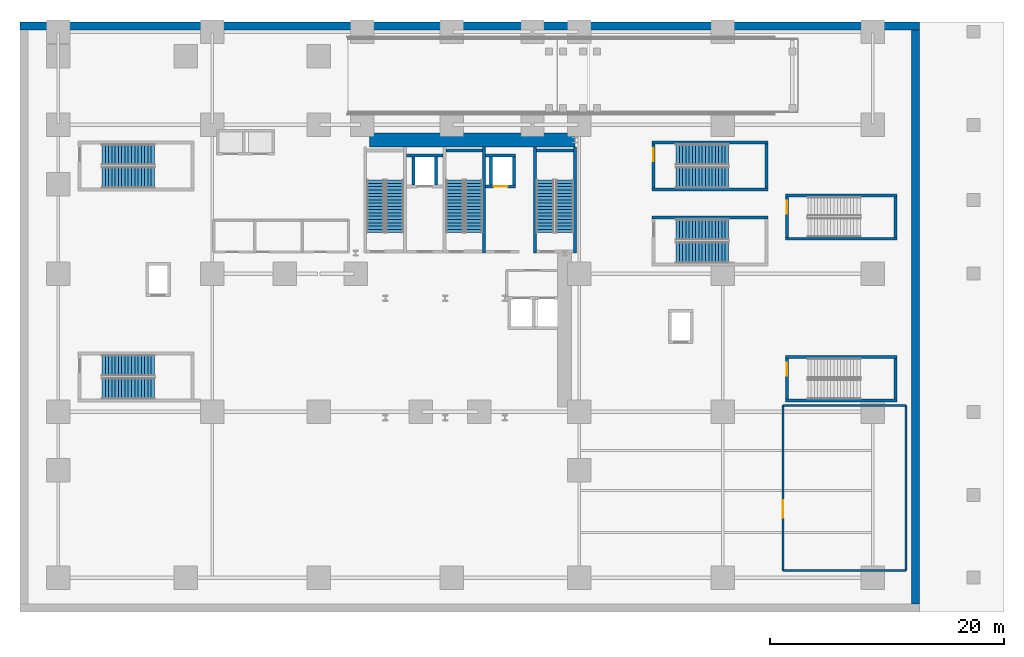
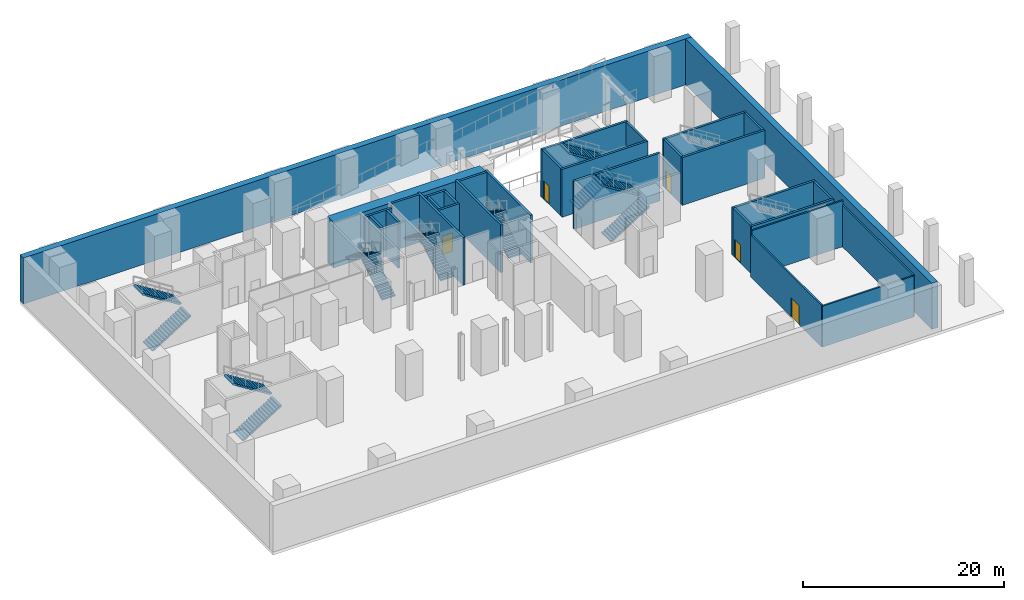
# One storey, part 6 of 16: 32 walls, 14 stair flights, 5 doors, 5 openings, 7 elements without a shape of their own.
"""IFC4 building model written with IfcOpenShell, lengths in metres."""

from ifc_helpers import new_model, si_unit, direction, frame, frame_2d, origin, place, context, subcontext, project, spatial, polyline, rectangle, outline, extrude, source, transform, mapped, material, layer, layer_set, type_object, element, fill, aggregate, save


model = new_model("IFC4")

# Units and contexts
model_context = context("Model", 3, precision=1e-05, world=origin(), true_north=direction((0.0, 1.0)))
body_context = subcontext(model_context, "Body", "Model", "MODEL_VIEW")
ifc_project = project(units=[si_unit("LENGTHUNIT", "METRE"), si_unit("AREAUNIT", "SQUARE_METRE"), si_unit("VOLUMEUNIT", "CUBIC_METRE"), si_unit("PLANEANGLEUNIT", "RADIAN"), si_unit("MASSUNIT", "GRAM", prefix="KILO")], contexts=[model_context])

# Site, building, storey
site_placement = place(None, origin())
site = spatial("IfcSite", under=ifc_project, at=site_placement, CompositionType="ELEMENT")
building_placement = place(site_placement, origin())
building = spatial("IfcBuilding", under=site, at=building_placement, Name="Vardaveli Station Tower", CompositionType="ELEMENT")
storey_placement = place(building_placement, frame((0.0, 0.0, -6.0)))
storey = spatial("IfcBuildingStorey", under=building, at=storey_placement, Name="B01", CompositionType="ELEMENT", Elevation=-6.0)

# Walls
ifc_material_1 = material(Name="Concrete C70/85", Category="concrete")
ifc_layer_1 = layer(ifc_material_1, 1.199951171875, Name="Concrete C70/85")
ifc_layer_set_1 = layer_set([ifc_layer_1], Name="Concrete C70/85")
wall_type_1 = type_object("IfcWallType", Name="WAL-CORE-1200", PredefinedType="SHEAR", material=ifc_layer_set_1)
shared_shape_1 = source(origin(), body_context, "Body", "SweptSolid", [
    extrude(rectangle(XDim=17.52001953125, YDim=1.199951171875, at=frame_2d((8.760009765625, 0.0))), origin(), (0.0, 0.0, 1.0), 5.60009765625),
])
wall_1_placement = place(storey_placement, frame((29.85009765625, 40.300048828125, 0.0), z_axis=(0.0, 0.0, 1.0), x_axis=(1.0, 0.0, 0.0)))
element("IfcWall", 1, at=wall_1_placement, inside=storey, type_object=wall_type_1, Name="SW-B01-NORTH", PredefinedType="SHEAR", context=body_context, shape_type="MappedRepresentation", body=[
    mapped(shared_shape_1, transform((0.0, 0.0, 0.0), scale=1.0)),
])
ifc_material_2 = material(Name="Concrete C40/50", Category="concrete")
ifc_layer_2 = layer(ifc_material_2, 0.699951171875, Name="Concrete C40/50")
ifc_layer_set_2 = layer_set([ifc_layer_2], Name="Concrete C40/50")
wall_type_2 = type_object("IfcWallType", Name="WAL-RET-700", PredefinedType="SOLIDWALL", material=ifc_layer_set_2)
shared_shape_2 = source(origin(), body_context, "Body", "SweptSolid", [
    extrude(rectangle(XDim=76.800048828125, YDim=0.699951171875, at=frame_2d((38.39990234375, 0.0))), origin(), (0.0, 0.0, 1.0), 5.60009765625),
])
wall_2_placement = place(storey_placement, frame((0.0, 50.050048828125, 0.0), z_axis=(0.0, 0.0, 1.0), x_axis=(1.0, 0.0, 0.0)))
element("IfcWall", 2, at=wall_2_placement, inside=storey, type_object=wall_type_2, Name="BW-B01-N", PredefinedType="SOLIDWALL", context=body_context, shape_type="MappedRepresentation", body=[
    mapped(shared_shape_2, transform((0.0, 0.0, 0.0), scale=1.0)),
])
shared_shape_3 = source(origin(), body_context, "Body", "SweptSolid", [
    extrude(rectangle(XDim=49.0, YDim=0.699951171875, at=frame_2d((24.5, 0.0))), origin(), (0.0, 0.0, 1.0), 5.60009765625),
])
wall_3_placement = place(storey_placement, frame((76.449951171875, 0.699951171875, 0.0), z_axis=(0.0, 0.0, 1.0), x_axis=(0.0, 1.0, 0.0)))
element("IfcWall", 3, at=wall_3_placement, inside=storey, type_object=wall_type_2, Name="BW-B01-E", PredefinedType="SOLIDWALL", context=body_context, shape_type="MappedRepresentation", body=[
    mapped(shared_shape_3, transform((0.0, 0.0, 0.0), scale=1.0)),
])
ifc_layer_3 = layer(ifc_material_2, 0.25, Name="Concrete C40/50")
ifc_layer_set_3 = layer_set([ifc_layer_3], Name="Concrete C40/50")
wall_type_3 = type_object("IfcWallType", Name="WAL-SHAFT-250", PredefinedType="SOLIDWALL", material=ifc_layer_set_3)
shared_shape_4 = source(origin(), body_context, "Body", "SweptSolid", [
    extrude(rectangle(XDim=9.050048828125, YDim=0.25, at=frame_2d((4.52490234375, 0.0))), origin(), (0.0, 0.0, 1.0), 5.800048828125),
])
for number, where, z_axis, x_axis, name in (
    (4, (39.625, 30.64990234375, 0.0), (0.0, 0.0, 1.0), (0.0, 1.0, 0.0), "W-B01-ST-2E"),
    (5, (43.97509765625, 30.64990234375, 0.0), (0.0, 0.0, 1.0), (0.0, 1.0, 0.0), "W-B01-ST-3W"),
    (6, (47.375, 30.64990234375, 0.0), (0.0, 0.0, 1.0), (0.0, 1.0, 0.0), "W-B01-ST-3E"),
):
    element("IfcWall", number, at=place(storey_placement, frame(where, z_axis=z_axis, x_axis=x_axis)), inside=storey, type_object=wall_type_3, Name=name, PredefinedType="SOLIDWALL", context=body_context, shape_type="MappedRepresentation", body=[
        mapped(shared_shape_4, transform((0.0, 0.0, 0.0), scale=1.0)),
    ])
shared_shape_5 = source(origin(), body_context, "Body", "SweptSolid", [
    extrude(rectangle(XDim=3.14990234375, YDim=0.25, at=frame_2d((1.574951171875, 0.0))), origin(), (0.0, 0.0, 1.0), 5.800048828125),
])
for number, where, z_axis, x_axis, name in (
    (7, (36.35009765625, 39.425048828125, 0.0), (0.0, 0.0, 1.0), (1.0, 0.0, 0.0), "W-B01-ST-2N"),
    (8, (44.10009765625, 39.425048828125, 0.0), (0.0, 0.0, 1.0), (1.0, 0.0, 0.0), "W-B01-ST-3N"),
):
    element("IfcWall", number, at=place(storey_placement, frame(where, z_axis=z_axis, x_axis=x_axis)), inside=storey, type_object=wall_type_3, Name=name, PredefinedType="SOLIDWALL", context=body_context, shape_type="MappedRepresentation", body=[
        mapped(shared_shape_5, transform((0.0, 0.0, 0.0), scale=1.0)),
    ])
shared_shape_6 = source(origin(), body_context, "Body", "SweptSolid", [
    extrude(rectangle(XDim=9.900146484375, YDim=0.25, at=frame_2d((4.9501953125, 0.0))), origin(), (0.0, 0.0, 1.0), 5.800048828125),
])
for number, where, z_axis, x_axis, name in (
    (9, (53.949951171875, 33.675048828125, 0.0), (0.0, 0.0, 1.0), (1.0, 0.0, 0.0), "W-B01-ST-S2N"),
    (10, (53.949951171875, 36.074951171875, 0.0), (0.0, 0.0, 1.0), (1.0, 0.0, 0.0), "W-B01-ST-P2S"),
    (11, (53.949951171875, 40.074951171875, 0.0), (0.0, 0.0, 1.0), (1.0, 0.0, 0.0), "W-B01-ST-P2N"),
):
    element("IfcWall", number, at=place(storey_placement, frame(where, z_axis=z_axis, x_axis=x_axis)), inside=storey, type_object=wall_type_3, Name=name, PredefinedType="SOLIDWALL", context=body_context, shape_type="MappedRepresentation", body=[
        mapped(shared_shape_6, transform((0.0, 0.0, 0.0), scale=1.0)),
    ])
shared_shape_7 = source(origin(), body_context, "Body", "SweptSolid", [
    extrude(rectangle(XDim=3.75, YDim=0.25, at=frame_2d((1.875, 0.0))), origin(), (0.0, 0.0, 1.0), 5.800048828125),
])
wall_4_placement = place(storey_placement, frame((63.72509765625, 36.199951171875, 0.0), z_axis=(0.0, 0.0, 1.0), x_axis=(0.0, 1.0, 0.0)))
element("IfcWall", 12, at=wall_4_placement, inside=storey, type_object=wall_type_3, Name="W-B01-ST-P2E", PredefinedType="SOLIDWALL", context=body_context, shape_type="MappedRepresentation", body=[
    mapped(shared_shape_7, transform((0.0, 0.0, 0.0), scale=1.0)),
])

# Wall, opening, door
wall_5_placement = place(storey_placement, frame((54.074951171875, 36.199951171875, 0.0), z_axis=(0.0, 0.0, 1.0), x_axis=(0.0, 1.0, 0.0)))
wall_5 = element("IfcWall", 13, at=wall_5_placement, inside=storey, type_object=wall_type_3, Name="W-B01-ST-P2W", PredefinedType="SOLIDWALL", context=body_context, shape_type="MappedRepresentation", body=[
    mapped(shared_shape_7, transform((0.0, 0.0, 0.0), scale=1.0)),
])
shared_shape_8 = source(origin(), body_context, "Body", "SweptSolid", [
    extrude(rectangle(XDim=1.10009765625, YDim=2.199951171875, at=frame_2d((0.550048828125, 1.10009765625))), frame((0.0, 0.135009765625, 0.0), z_axis=(0.0, -1.0, 0.0), x_axis=(1.0, 0.0, 0.0)), (0.0, 0.0, 1.0), 0.27001953125),
])
opening_1_placement = place(wall_5_placement, frame((2.300048828125, 0.0, 0.0)))
opening_1 = element("IfcOpeningElement", 14, at=opening_1_placement, cuts=wall_5, Name="Opening D-04", PredefinedType="OPENING", context=body_context, shape_type="MappedRepresentation", body=[
    mapped(shared_shape_8, transform((0.0, 0.0, 0.0), scale=1.0)),
])
ifc_material_3 = material(Name="Steel smokeproof fire doorset", Category="steel")
door_type_1 = type_object("IfcDoorType", Name="DR-ST-1100x2200", OperationType="NOTDEFINED", PredefinedType="DOOR", material=ifc_material_3)
shared_shape_9 = source(origin(), body_context, "Body", "SweptSolid", [
    extrude(rectangle(XDim=1.10009765625, YDim=2.199951171875, at=frame_2d((0.550048828125, 1.10009765625))), frame((0.0, 0.02490234375, 0.0), z_axis=(0.0, -1.0, 0.0), x_axis=(1.0, 0.0, 0.0)), (0.0, 0.0, 1.0), 0.050048828125),
])
door_1_placement = place(opening_1_placement, origin())
door_1 = element("IfcDoor", 15, at=door_1_placement, inside=storey, type_object=door_type_1, Name="DST-P2-B01", OperationType="SINGLE_SWING_RIGHT", OverallHeight=2.199951171875, OverallWidth=1.10009765625, PredefinedType="DOOR", context=body_context, shape_type="MappedRepresentation", body=[
    mapped(shared_shape_9, transform((0.0, 0.0, 0.0), scale=1.0)),
])
fill(opening_1, door_1)

# Walls
shared_shape_10 = source(origin(), body_context, "Body", "SweptSolid", [
    extrude(rectangle(XDim=9.5, YDim=0.25, at=frame_2d((4.75, 0.0))), origin(), (0.0, 0.0, 1.0), 5.800048828125),
])
for number, where, z_axis, x_axis, name in (
    (16, (65.35009765625, 18.074951171875, 0.0), (0.0, 0.0, 1.0), (1.0, 0.0, 0.0), "W-B01-ST-C1S"),
    (17, (65.35009765625, 21.77490234375, 0.0), (0.0, 0.0, 1.0), (1.0, 0.0, 0.0), "W-B01-ST-C1N"),
    (18, (65.35009765625, 31.875, 0.0), (0.0, 0.0, 1.0), (1.0, 0.0, 0.0), "W-B01-ST-C2S"),
    (19, (65.35009765625, 35.574951171875, 0.0), (0.0, 0.0, 1.0), (1.0, 0.0, 0.0), "W-B01-ST-C2N"),
):
    element("IfcWall", number, at=place(storey_placement, frame(where, z_axis=z_axis, x_axis=x_axis)), inside=storey, type_object=wall_type_3, Name=name, PredefinedType="SOLIDWALL", context=body_context, shape_type="MappedRepresentation", body=[
        mapped(shared_shape_10, transform((0.0, 0.0, 0.0), scale=1.0)),
    ])
shared_shape_11 = source(origin(), body_context, "Body", "SweptSolid", [
    extrude(rectangle(XDim=3.449951171875, YDim=0.25, at=frame_2d((1.72509765625, 0.0))), origin(), (0.0, 0.0, 1.0), 5.800048828125),
])
wall_6_placement = place(storey_placement, frame((74.72509765625, 18.199951171875, 0.0), z_axis=(0.0, 0.0, 1.0), x_axis=(0.0, 1.0, 0.0)))
element("IfcWall", 20, at=wall_6_placement, inside=storey, type_object=wall_type_3, Name="W-B01-ST-C1E", PredefinedType="SOLIDWALL", context=body_context, shape_type="MappedRepresentation", body=[
    mapped(shared_shape_11, transform((0.0, 0.0, 0.0), scale=1.0)),
])

# Wall, opening, door
wall_7_placement = place(storey_placement, frame((65.47509765625, 18.199951171875, 0.0), z_axis=(0.0, 0.0, 1.0), x_axis=(0.0, 1.0, 0.0)))
wall_7 = element("IfcWall", 21, at=wall_7_placement, inside=storey, type_object=wall_type_3, Name="W-B01-ST-C1W", PredefinedType="SOLIDWALL", context=body_context, shape_type="MappedRepresentation", body=[
    mapped(shared_shape_11, transform((0.0, 0.0, 0.0), scale=1.0)),
])
opening_2_placement = place(wall_7_placement, frame((2.0, 0.0, 0.0)))
opening_2 = element("IfcOpeningElement", 22, at=opening_2_placement, cuts=wall_7, Name="Opening D-04", PredefinedType="OPENING", context=body_context, shape_type="MappedRepresentation", body=[
    mapped(shared_shape_8, transform((0.0, 0.0, 0.0), scale=1.0)),
])
door_2_placement = place(opening_2_placement, origin())
door_2 = element("IfcDoor", 23, at=door_2_placement, inside=storey, type_object=door_type_1, Name="DST-C1-B01", OperationType="SINGLE_SWING_RIGHT", OverallHeight=2.199951171875, OverallWidth=1.10009765625, PredefinedType="DOOR", context=body_context, shape_type="MappedRepresentation", body=[
    mapped(shared_shape_9, transform((0.0, 0.0, 0.0), scale=1.0)),
])
fill(opening_2, door_2)

# Wall
wall_8_placement = place(storey_placement, frame((74.72509765625, 32.0, 0.0), z_axis=(0.0, 0.0, 1.0), x_axis=(0.0, 1.0, 0.0)))
element("IfcWall", 24, at=wall_8_placement, inside=storey, type_object=wall_type_3, Name="W-B01-ST-C2E", PredefinedType="SOLIDWALL", context=body_context, shape_type="MappedRepresentation", body=[
    mapped(shared_shape_11, transform((0.0, 0.0, 0.0), scale=1.0)),
])

# Wall, opening, door
wall_9_placement = place(storey_placement, frame((65.47509765625, 32.0, 0.0), z_axis=(0.0, 0.0, 1.0), x_axis=(0.0, 1.0, 0.0)))
wall_9 = element("IfcWall", 25, at=wall_9_placement, inside=storey, type_object=wall_type_3, Name="W-B01-ST-C2W", PredefinedType="SOLIDWALL", context=body_context, shape_type="MappedRepresentation", body=[
    mapped(shared_shape_11, transform((0.0, 0.0, 0.0), scale=1.0)),
])
opening_3_placement = place(wall_9_placement, frame((2.0, 0.0, 0.0)))
opening_3 = element("IfcOpeningElement", 26, at=opening_3_placement, cuts=wall_9, Name="Opening D-04", PredefinedType="OPENING", context=body_context, shape_type="MappedRepresentation", body=[
    mapped(shared_shape_8, transform((0.0, 0.0, 0.0), scale=1.0)),
])
door_3_placement = place(opening_3_placement, origin())
door_3 = element("IfcDoor", 27, at=door_3_placement, inside=storey, type_object=door_type_1, Name="DST-C2-B01", OperationType="SINGLE_SWING_RIGHT", OverallHeight=2.199951171875, OverallWidth=1.10009765625, PredefinedType="DOOR", context=body_context, shape_type="MappedRepresentation", body=[
    mapped(shared_shape_9, transform((0.0, 0.0, 0.0), scale=1.0)),
])
fill(opening_3, door_3)

# Walls
shared_shape_12 = source(origin(), body_context, "Body", "SweptSolid", [
    extrude(rectangle(XDim=2.400146484375, YDim=0.25, at=frame_2d((1.2001953125, 0.0))), origin(), (0.0, 0.0, 1.0), 5.60009765625),
])
for number, where, z_axis, x_axis, name in (
    (28, (33.574951171875, 36.449951171875, 0.0), (0.0, 0.0, 1.0), (0.0, 1.0, 0.0), "SHW-FFL-01-B01-W"),
    (29, (35.52490234375, 36.449951171875, 0.0), (0.0, 0.0, 1.0), (0.0, 1.0, 0.0), "SHW-FFL-01-B01-E"),
    (30, (40.22509765625, 36.449951171875, 0.0), (0.0, 0.0, 1.0), (0.0, 1.0, 0.0), "SHW-FFL-02-B01-W"),
    (31, (42.175048828125, 36.449951171875, 0.0), (0.0, 0.0, 1.0), (0.0, 1.0, 0.0), "SHW-FFL-02-B01-E"),
):
    element("IfcWall", number, at=place(storey_placement, frame(where, z_axis=z_axis, x_axis=x_axis)), inside=storey, type_object=wall_type_3, Name=name, PredefinedType="SOLIDWALL", context=body_context, shape_type="MappedRepresentation", body=[
        mapped(shared_shape_12, transform((0.0, 0.0, 0.0), scale=1.0)),
    ])
shared_shape_13 = source(origin(), body_context, "Body", "SweptSolid", [
    extrude(rectangle(XDim=3.10009765625, YDim=0.25, at=frame_2d((1.550048828125, 0.0))), origin(), (0.0, 0.0, 1.0), 5.60009765625),
])
wall_10_placement = place(storey_placement, frame((33.0, 38.97509765625, 0.0), z_axis=(0.0, 0.0, 1.0), x_axis=(1.0, 0.0, 0.0)))
element("IfcWall", 32, at=wall_10_placement, inside=storey, type_object=wall_type_3, Name="SHW-FFL-01-B01-N", PredefinedType="SOLIDWALL", context=body_context, shape_type="MappedRepresentation", body=[
    mapped(shared_shape_13, transform((0.0, 0.0, 0.0), scale=1.0)),
])

# Wall, opening, door
shared_shape_14 = source(origin(), body_context, "Body", "SweptSolid", [
    extrude(rectangle(XDim=2.550048828125, YDim=0.25, at=frame_2d((1.27490234375, 0.0))), origin(), (0.0, 0.0, 1.0), 5.60009765625),
])
wall_11_placement = place(storey_placement, frame((39.75, 36.324951171875, 0.0), z_axis=(0.0, 0.0, 1.0), x_axis=(1.0, 0.0, 0.0)))
wall_11 = element("IfcWall", 33, at=wall_11_placement, inside=storey, type_object=wall_type_3, Name="SHW-FFL-02-B01-S", PredefinedType="SOLIDWALL", context=body_context, shape_type="MappedRepresentation", body=[
    mapped(shared_shape_14, transform((0.0, 0.0, 0.0), scale=1.0)),
])
shared_shape_15 = source(origin(), body_context, "Body", "SweptSolid", [
    extrude(rectangle(XDim=1.199951171875, YDim=2.25, at=frame_2d((0.60009765625, 1.125))), frame((0.0, 0.135009765625, 0.0), z_axis=(0.0, -1.0, 0.0), x_axis=(1.0, 0.0, 0.0)), (0.0, 0.0, 1.0), 0.27001953125),
])
opening_4_placement = place(wall_11_placement, frame((0.675048828125, 0.0, 0.0)))
opening_4 = element("IfcOpeningElement", 34, at=opening_4_placement, cuts=wall_11, Name="Opening LD-02", PredefinedType="OPENING", context=body_context, shape_type="MappedRepresentation", body=[
    mapped(shared_shape_15, transform((0.0, 0.0, 0.0), scale=1.0)),
])
ifc_material_4 = material(Name="Brushed stainless steel", Category="steel")
door_type_2 = type_object("IfcDoorType", Name="DR-LD-1200x2250", OperationType="DOUBLE_DOOR_SLIDING", PredefinedType="DOOR", material=ifc_material_4)
shared_shape_16 = source(origin(), body_context, "Body", "SweptSolid", [
    extrude(rectangle(XDim=1.199951171875, YDim=2.25, at=frame_2d((0.60009765625, 1.125))), frame((0.0, 0.02490234375, 0.0), z_axis=(0.0, -1.0, 0.0), x_axis=(1.0, 0.0, 0.0)), (0.0, 0.0, 1.0), 0.050048828125),
])
door_4_placement = place(opening_4_placement, origin())
door_4 = element("IfcDoor", 35, at=door_4_placement, inside=storey, type_object=door_type_2, Name="LD-FFL-02-B01", OperationType="DOUBLE_DOOR_SLIDING", OverallHeight=2.25, OverallWidth=1.199951171875, PredefinedType="DOOR", context=body_context, shape_type="MappedRepresentation", body=[
    mapped(shared_shape_16, transform((0.0, 0.0, 0.0), scale=1.0)),
])
fill(opening_4, door_4)

# Wall
wall_12_placement = place(storey_placement, frame((39.75, 38.97509765625, 0.0), z_axis=(0.0, 0.0, 1.0), x_axis=(1.0, 0.0, 0.0)))
element("IfcWall", 36, at=wall_12_placement, inside=storey, type_object=wall_type_3, Name="SHW-FFL-02-B01-N", PredefinedType="SOLIDWALL", context=body_context, shape_type="MappedRepresentation", body=[
    mapped(shared_shape_14, transform((0.0, 0.0, 0.0), scale=1.0)),
])

# Wall, opening, door
ifc_material_5 = material(Name="Fire-rated gypsum stud partition")
ifc_layer_4 = layer(ifc_material_5, 0.179931640625, Name="Fire-rated gypsum stud partition")
ifc_layer_set_4 = layer_set([ifc_layer_4], Name="Fire-rated gypsum stud partition")
wall_type_4 = type_object("IfcWallType", Name="WAL-CORR-180", PredefinedType="PARTITIONING", material=ifc_layer_set_4)
shared_shape_17 = source(origin(), body_context, "Body", "SweptSolid", [
    extrude(rectangle(XDim=14.099853515625, YDim=0.179931640625, at=frame_2d((7.0498046875, 0.0))), origin(), (0.0, 0.0, 1.0), 5.068115234375),
])
wall_13_placement = place(storey_placement, frame((65.14990234375, 3.550048828125, 0.0), z_axis=(0.0, 0.0, 1.0), x_axis=(0.0, 1.0, 0.0)))
wall_13 = element("IfcWall", 37, at=wall_13_placement, inside=storey, type_object=wall_type_4, Name="W-B01-SUB-W", PredefinedType="PARTITIONING", context=body_context, shape_type="MappedRepresentation", body=[
    mapped(shared_shape_17, transform((0.0, 0.0, 0.0), scale=1.0)),
])
shared_shape_18 = source(origin(), body_context, "Body", "SweptSolid", [
    extrude(rectangle(XDim=1.5, YDim=2.300048828125, at=frame_2d((0.75, 1.14990234375))), frame((0.0, 0.10009765625, 0.0), z_axis=(0.0, -1.0, 0.0), x_axis=(1.0, 0.0, 0.0)), (0.0, 0.0, 1.0), 0.199951171875),
])
opening_5_placement = place(wall_13_placement, frame((4.5, 0.0, 0.0)))
opening_5 = element("IfcOpeningElement", 38, at=opening_5_placement, cuts=wall_13, Name="Opening D-02", PredefinedType="OPENING", context=body_context, shape_type="MappedRepresentation", body=[
    mapped(shared_shape_18, transform((0.0, 0.0, 0.0), scale=1.0)),
])
ifc_material_6 = material(Name="Galvanised steel acoustic doorset", Category="steel")
door_type_3 = type_object("IfcDoorType", Name="DR-PLANT-1500x2300", OperationType="DOUBLE_DOOR_SINGLE_SWING", PredefinedType="DOOR", material=ifc_material_6)
shared_shape_19 = source(origin(), body_context, "Body", "SweptSolid", [
    extrude(rectangle(XDim=1.5, YDim=2.300048828125, at=frame_2d((0.75, 1.14990234375))), frame((0.0, 0.02490234375, 0.0), z_axis=(0.0, -1.0, 0.0), x_axis=(1.0, 0.0, 0.0)), (0.0, 0.0, 1.0), 0.050048828125),
])
door_5_placement = place(opening_5_placement, origin())
door_5 = element("IfcDoor", 39, at=door_5_placement, inside=storey, type_object=door_type_3, Name="D-B01-SUB", OperationType="DOUBLE_DOOR_SINGLE_SWING", OverallHeight=2.300048828125, OverallWidth=1.5, PredefinedType="DOOR", context=body_context, shape_type="MappedRepresentation", body=[
    mapped(shared_shape_19, transform((0.0, 0.0, 0.0), scale=1.0)),
])
fill(opening_5, door_5)

# Walls
wall_14_placement = place(storey_placement, frame((75.64990234375, 3.550048828125, 0.0), z_axis=(0.0, 0.0, 1.0), x_axis=(0.0, 1.0, 0.0)))
element("IfcWall", 40, at=wall_14_placement, inside=storey, type_object=wall_type_4, Name="W-B01-SUB-E", PredefinedType="PARTITIONING", context=body_context, shape_type="MappedRepresentation", body=[
    mapped(shared_shape_17, transform((0.0, 0.0, 0.0), scale=1.0)),
])
shared_shape_20 = source(origin(), body_context, "Body", "SweptSolid", [
    extrude(rectangle(XDim=10.5, YDim=0.179931640625, at=frame_2d((5.25, 0.0))), origin(), (0.0, 0.0, 1.0), 4.991943359375),
])
wall_15_placement = place(storey_placement, frame((65.14990234375, 3.550048828125, 0.0), z_axis=(0.0, 0.0, 1.0), x_axis=(1.0, 0.0, 0.0)))
element("IfcWall", 41, at=wall_15_placement, inside=storey, type_object=wall_type_4, Name="W-B01-SUB-S", PredefinedType="PARTITIONING", context=body_context, shape_type="MappedRepresentation", body=[
    mapped(shared_shape_20, transform((0.0, 0.0, 0.0), scale=1.0)),
])
shared_shape_21 = source(origin(), body_context, "Body", "SweptSolid", [
    extrude(rectangle(XDim=10.5, YDim=0.179931640625, at=frame_2d((5.25, 0.0))), origin(), (0.0, 0.0, 1.0), 5.60009765625),
])
wall_16_placement = place(storey_placement, frame((65.14990234375, 17.64990234375, 0.0), z_axis=(0.0, 0.0, 1.0), x_axis=(1.0, 0.0, 0.0)))
element("IfcWall", 42, at=wall_16_placement, inside=storey, type_object=wall_type_4, Name="W-B01-SUB-N", PredefinedType="PARTITIONING", context=body_context, shape_type="MappedRepresentation", body=[
    mapped(shared_shape_21, transform((0.0, 0.0, 0.0), scale=1.0)),
])

# Stair, stair flights
stair_type_1 = type_object("IfcStairType", Name="STR-CORE-1500", PredefinedType="HALF_TURN_STAIR", material=ifc_material_2)
stair_1_placement = place(storey_placement, origin())
stair_1 = element("IfcStair", 43, at=stair_1_placement, inside=storey, type_object=stair_type_1, Name="B01 ST-1", PredefinedType="HALF_TURN_STAIR")
stair_flight_type_1 = type_object("IfcStairFlightType", Name="SFL-CORE-1500", PredefinedType="STRAIGHT", material=ifc_material_2)
shared_shape_22 = source(origin(), body_context, "Body", "SweptSolid", [
    extrude(outline(polyline([(0.0, 0.0), (0.0, 0.176513671875), (0.280029296875, 0.176513671875), (0.280029296875, 0.35302734375), (0.56005859375, 0.35302734375), (0.56005859375, 0.529296875), (0.840087890625, 0.529296875), (0.840087890625, 0.705810546875), (1.1201171875, 0.705810546875), (1.1201171875, 0.88232421875), (1.39990234375, 0.88232421875), (1.39990234375, 1.058837890625), (1.679931640625, 1.058837890625), (1.679931640625, 1.2353515625), (1.9599609375, 1.2353515625), (1.9599609375, 1.411865234375), (2.239990234375, 1.411865234375), (2.239990234375, 1.588134765625), (2.52001953125, 1.588134765625), (2.52001953125, 1.7646484375), (2.800048828125, 1.7646484375), (2.800048828125, 1.941162109375), (3.080078125, 1.941162109375), (3.080078125, 2.11767578125), (3.360107421875, 2.11767578125), (3.360107421875, 2.294189453125), (3.639892578125, 2.294189453125), (3.639892578125, 2.470703125), (3.919921875, 2.470703125), (3.919921875, 2.64697265625), (4.199951171875, 2.64697265625), (4.199951171875, 2.823486328125), (4.47998046875, 2.823486328125), (4.47998046875, 3.0), (4.47998046875, 2.646240234375), (0.28125, 0.0), (0.0, 0.0)])), frame((0.0, 0.75, 0.0), z_axis=(0.0, -1.0, 0.0), x_axis=(1.0, 0.0, 0.0)), (0.0, 0.0, 1.0), 1.5),
])
stair_flight_1_placement = place(storey_placement, frame((32.0, 32.39990234375, 0.0), z_axis=(0.0, 0.0, 1.0), x_axis=(0.0, 1.0, 0.0)))
stair_flight_1 = element("IfcStairFlight", 44, at=stair_flight_1_placement, type_object=stair_flight_type_1, Name="ST-1 flight 1", NumberOfRisers=17, NumberOfTreads=16, PredefinedType="STRAIGHT", RiserHeight=0.176470588, TreadLength=0.28, context=body_context, shape_type="MappedRepresentation", body=[
    mapped(shared_shape_22, transform((0.0, 0.0, 0.0), scale=1.0)),
])
stair_flight_2_placement = place(storey_placement, frame((30.35009765625, 36.8798828125, 3.0), z_axis=(0.0, 0.0, 1.0), x_axis=(0.0, -1.0, 0.0)))
stair_flight_2 = element("IfcStairFlight", 45, at=stair_flight_2_placement, type_object=stair_flight_type_1, Name="ST-1 flight 2", NumberOfRisers=17, NumberOfTreads=16, PredefinedType="STRAIGHT", RiserHeight=0.176470588, TreadLength=0.28, context=body_context, shape_type="MappedRepresentation", body=[
    mapped(shared_shape_22, transform((0.0, 0.0, 0.0), scale=1.0)),
])
aggregate(stair_1, [stair_flight_1, stair_flight_2])

stair_2_placement = place(storey_placement, origin())
stair_2 = element("IfcStair", 46, at=stair_2_placement, inside=storey, type_object=stair_type_1, Name="B01 ST-2", PredefinedType="HALF_TURN_STAIR")
stair_flight_3_placement = place(storey_placement, frame((38.75, 32.39990234375, 0.0), z_axis=(0.0, 0.0, 1.0), x_axis=(0.0, 1.0, 0.0)))
stair_flight_3 = element("IfcStairFlight", 47, at=stair_flight_3_placement, type_object=stair_flight_type_1, Name="ST-2 flight 1", NumberOfRisers=17, NumberOfTreads=16, PredefinedType="STRAIGHT", RiserHeight=0.176470588, TreadLength=0.28, context=body_context, shape_type="MappedRepresentation", body=[
    mapped(shared_shape_22, transform((0.0, 0.0, 0.0), scale=1.0)),
])
stair_flight_4_placement = place(storey_placement, frame((37.10009765625, 36.8798828125, 3.0), z_axis=(0.0, 0.0, 1.0), x_axis=(0.0, -1.0, 0.0)))
stair_flight_4 = element("IfcStairFlight", 48, at=stair_flight_4_placement, type_object=stair_flight_type_1, Name="ST-2 flight 2", NumberOfRisers=17, NumberOfTreads=16, PredefinedType="STRAIGHT", RiserHeight=0.176470588, TreadLength=0.28, context=body_context, shape_type="MappedRepresentation", body=[
    mapped(shared_shape_22, transform((0.0, 0.0, 0.0), scale=1.0)),
])
aggregate(stair_2, [stair_flight_3, stair_flight_4])

stair_3_placement = place(storey_placement, origin())
stair_3 = element("IfcStair", 49, at=stair_3_placement, inside=storey, type_object=stair_type_1, Name="B01 ST-3", PredefinedType="HALF_TURN_STAIR")
stair_flight_5_placement = place(storey_placement, frame((46.5, 32.39990234375, 0.0), z_axis=(0.0, 0.0, 1.0), x_axis=(0.0, 1.0, 0.0)))
stair_flight_5 = element("IfcStairFlight", 50, at=stair_flight_5_placement, type_object=stair_flight_type_1, Name="ST-3 flight 1", NumberOfRisers=17, NumberOfTreads=16, PredefinedType="STRAIGHT", RiserHeight=0.176470588, TreadLength=0.28, context=body_context, shape_type="MappedRepresentation", body=[
    mapped(shared_shape_22, transform((0.0, 0.0, 0.0), scale=1.0)),
])
stair_flight_6_placement = place(storey_placement, frame((44.85009765625, 36.8798828125, 3.0), z_axis=(0.0, 0.0, 1.0), x_axis=(0.0, -1.0, 0.0)))
stair_flight_6 = element("IfcStairFlight", 51, at=stair_flight_6_placement, type_object=stair_flight_type_1, Name="ST-3 flight 2", NumberOfRisers=17, NumberOfTreads=16, PredefinedType="STRAIGHT", RiserHeight=0.176470588, TreadLength=0.28, context=body_context, shape_type="MappedRepresentation", body=[
    mapped(shared_shape_22, transform((0.0, 0.0, 0.0), scale=1.0)),
])
aggregate(stair_3, [stair_flight_5, stair_flight_6])

stair_type_2 = type_object("IfcStairType", Name="STR-POD-1800", PredefinedType="HALF_TURN_STAIR", material=ifc_material_2)
stair_4_placement = place(storey_placement, origin())
stair_4 = element("IfcStair", 52, at=stair_4_placement, inside=storey, type_object=stair_type_2, Name="B01 ST-S1", PredefinedType="HALF_TURN_STAIR")
stair_flight_type_2 = type_object("IfcStairFlightType", Name="SFL-POD-1800", PredefinedType="STRAIGHT", material=ifc_material_2)
shared_shape_23 = source(origin(), body_context, "Body", "SweptSolid", [
    extrude(outline(polyline([(0.0, 0.0), (0.0, 0.176513671875), (0.280029296875, 0.176513671875), (0.280029296875, 0.35302734375), (0.56005859375, 0.35302734375), (0.56005859375, 0.529296875), (0.840087890625, 0.529296875), (0.840087890625, 0.705810546875), (1.1201171875, 0.705810546875), (1.1201171875, 0.88232421875), (1.39990234375, 0.88232421875), (1.39990234375, 1.058837890625), (1.679931640625, 1.058837890625), (1.679931640625, 1.2353515625), (1.9599609375, 1.2353515625), (1.9599609375, 1.411865234375), (2.239990234375, 1.411865234375), (2.239990234375, 1.588134765625), (2.52001953125, 1.588134765625), (2.52001953125, 1.7646484375), (2.800048828125, 1.7646484375), (2.800048828125, 1.941162109375), (3.080078125, 1.941162109375), (3.080078125, 2.11767578125), (3.360107421875, 2.11767578125), (3.360107421875, 2.294189453125), (3.639892578125, 2.294189453125), (3.639892578125, 2.470703125), (3.919921875, 2.470703125), (3.919921875, 2.64697265625), (4.199951171875, 2.64697265625), (4.199951171875, 2.823486328125), (4.47998046875, 2.823486328125), (4.47998046875, 3.0), (4.47998046875, 2.646240234375), (0.28125, 0.0), (0.0, 0.0)])), frame((0.0, 0.89990234375, 0.0), z_axis=(0.0, -1.0, 0.0), x_axis=(1.0, 0.0, 0.0)), (0.0, 0.0, 1.0), 1.800048828125),
])
stair_flight_7_placement = place(storey_placement, frame((7.0, 19.10009765625, 0.0), z_axis=(0.0, 0.0, 1.0), x_axis=(1.0, 0.0, 0.0)))
stair_flight_7 = element("IfcStairFlight", 53, at=stair_flight_7_placement, type_object=stair_flight_type_2, Name="ST-S1 flight 1", NumberOfRisers=17, NumberOfTreads=16, PredefinedType="STRAIGHT", RiserHeight=0.176470588, TreadLength=0.28, context=body_context, shape_type="MappedRepresentation", body=[
    mapped(shared_shape_23, transform((0.0, 0.0, 0.0), scale=1.0)),
])
stair_flight_8_placement = place(storey_placement, frame((11.47998046875, 21.050048828125, 3.0), z_axis=(0.0, 0.0, 1.0), x_axis=(-1.0, 0.0, 0.0)))
stair_flight_8 = element("IfcStairFlight", 54, at=stair_flight_8_placement, type_object=stair_flight_type_2, Name="ST-S1 flight 2", NumberOfRisers=17, NumberOfTreads=16, PredefinedType="STRAIGHT", RiserHeight=0.176470588, TreadLength=0.28, context=body_context, shape_type="MappedRepresentation", body=[
    mapped(shared_shape_23, transform((0.0, 0.0, 0.0), scale=1.0)),
])
aggregate(stair_4, [stair_flight_7, stair_flight_8])

stair_5_placement = place(storey_placement, origin())
stair_5 = element("IfcStair", 55, at=stair_5_placement, inside=storey, type_object=stair_type_2, Name="B01 ST-S2", PredefinedType="HALF_TURN_STAIR")
stair_flight_9_placement = place(storey_placement, frame((56.0, 30.699951171875, 0.0), z_axis=(0.0, 0.0, 1.0), x_axis=(1.0, 0.0, 0.0)))
stair_flight_9 = element("IfcStairFlight", 56, at=stair_flight_9_placement, type_object=stair_flight_type_2, Name="ST-S2 flight 1", NumberOfRisers=17, NumberOfTreads=16, PredefinedType="STRAIGHT", RiserHeight=0.176470588, TreadLength=0.28, context=body_context, shape_type="MappedRepresentation", body=[
    mapped(shared_shape_23, transform((0.0, 0.0, 0.0), scale=1.0)),
])
stair_flight_10_placement = place(storey_placement, frame((60.47998046875, 32.64990234375, 3.0), z_axis=(0.0, 0.0, 1.0), x_axis=(-1.0, 0.0, 0.0)))
stair_flight_10 = element("IfcStairFlight", 57, at=stair_flight_10_placement, type_object=stair_flight_type_2, Name="ST-S2 flight 2", NumberOfRisers=17, NumberOfTreads=16, PredefinedType="STRAIGHT", RiserHeight=0.176470588, TreadLength=0.28, context=body_context, shape_type="MappedRepresentation", body=[
    mapped(shared_shape_23, transform((0.0, 0.0, 0.0), scale=1.0)),
])
aggregate(stair_5, [stair_flight_9, stair_flight_10])

stair_6_placement = place(storey_placement, origin())
stair_6 = element("IfcStair", 58, at=stair_6_placement, inside=storey, type_object=stair_type_2, Name="B01 ST-P1", PredefinedType="HALF_TURN_STAIR")
stair_flight_11_placement = place(storey_placement, frame((7.0, 37.10009765625, 0.0), z_axis=(0.0, 0.0, 1.0), x_axis=(1.0, 0.0, 0.0)))
stair_flight_11 = element("IfcStairFlight", 59, at=stair_flight_11_placement, type_object=stair_flight_type_2, Name="ST-P1 flight 1", NumberOfRisers=17, NumberOfTreads=16, PredefinedType="STRAIGHT", RiserHeight=0.176470588, TreadLength=0.28, context=body_context, shape_type="MappedRepresentation", body=[
    mapped(shared_shape_23, transform((0.0, 0.0, 0.0), scale=1.0)),
])
stair_flight_12_placement = place(storey_placement, frame((11.47998046875, 39.050048828125, 3.0), z_axis=(0.0, 0.0, 1.0), x_axis=(-1.0, 0.0, 0.0)))
stair_flight_12 = element("IfcStairFlight", 60, at=stair_flight_12_placement, type_object=stair_flight_type_2, Name="ST-P1 flight 2", NumberOfRisers=17, NumberOfTreads=16, PredefinedType="STRAIGHT", RiserHeight=0.176470588, TreadLength=0.28, context=body_context, shape_type="MappedRepresentation", body=[
    mapped(shared_shape_23, transform((0.0, 0.0, 0.0), scale=1.0)),
])
aggregate(stair_6, [stair_flight_11, stair_flight_12])

stair_7_placement = place(storey_placement, origin())
stair_7 = element("IfcStair", 61, at=stair_7_placement, inside=storey, type_object=stair_type_2, Name="B01 ST-P2", PredefinedType="HALF_TURN_STAIR")
stair_flight_13_placement = place(storey_placement, frame((56.0, 37.10009765625, 0.0), z_axis=(0.0, 0.0, 1.0), x_axis=(1.0, 0.0, 0.0)))
stair_flight_13 = element("IfcStairFlight", 62, at=stair_flight_13_placement, type_object=stair_flight_type_2, Name="ST-P2 flight 1", NumberOfRisers=17, NumberOfTreads=16, PredefinedType="STRAIGHT", RiserHeight=0.176470588, TreadLength=0.28, context=body_context, shape_type="MappedRepresentation", body=[
    mapped(shared_shape_23, transform((0.0, 0.0, 0.0), scale=1.0)),
])
stair_flight_14_placement = place(storey_placement, frame((60.47998046875, 39.050048828125, 3.0), z_axis=(0.0, 0.0, 1.0), x_axis=(-1.0, 0.0, 0.0)))
stair_flight_14 = element("IfcStairFlight", 63, at=stair_flight_14_placement, type_object=stair_flight_type_2, Name="ST-P2 flight 2", NumberOfRisers=17, NumberOfTreads=16, PredefinedType="STRAIGHT", RiserHeight=0.176470588, TreadLength=0.28, context=body_context, shape_type="MappedRepresentation", body=[
    mapped(shared_shape_23, transform((0.0, 0.0, 0.0), scale=1.0)),
])
aggregate(stair_7, [stair_flight_13, stair_flight_14])

save(model, "model.ifc")
